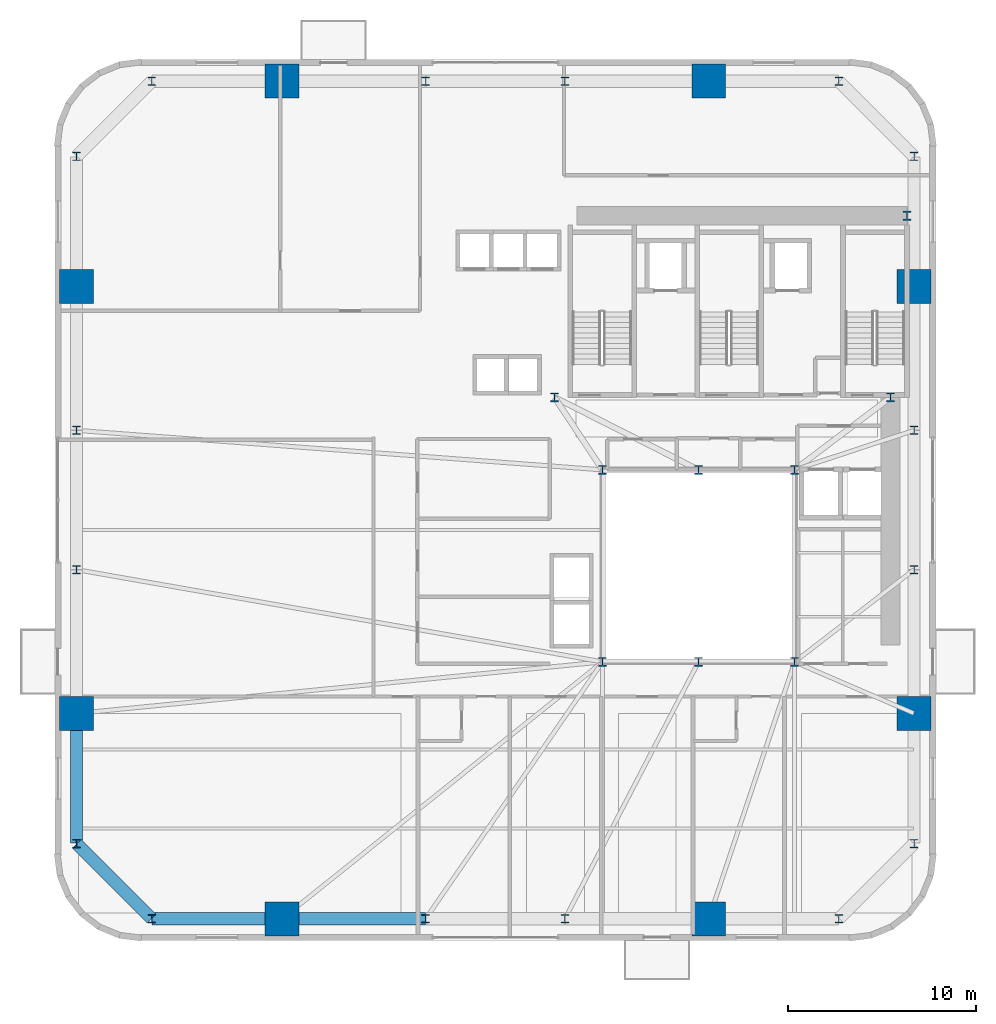
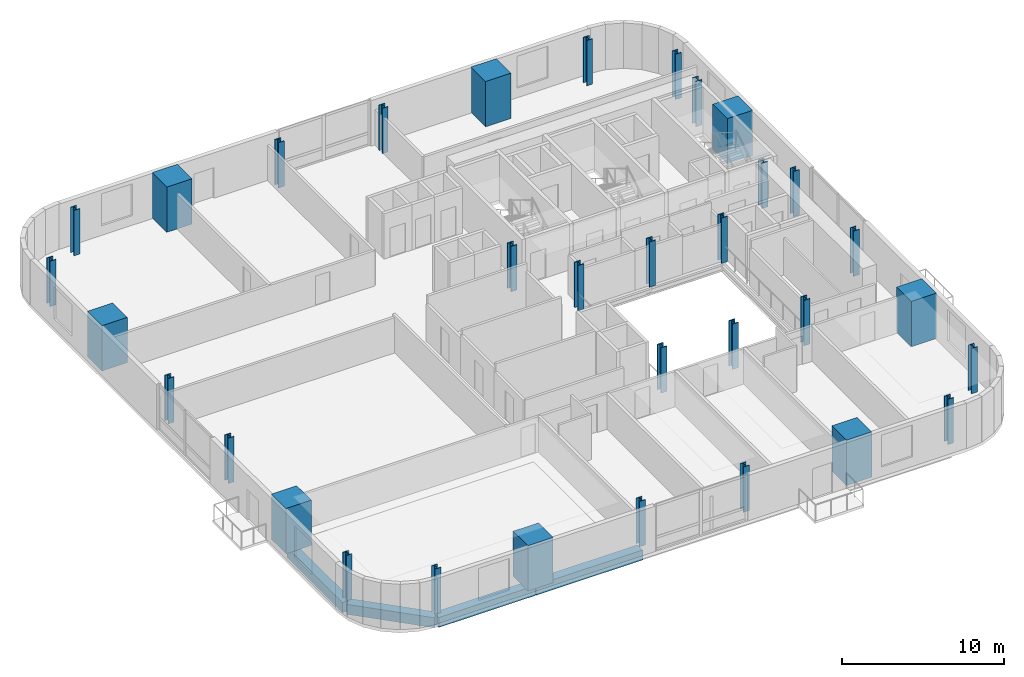
# One storey, part 1 of 13: 33 columns, 4 beams.
"""IFC4 building model written with IfcOpenShell, lengths in metres."""

from ifc_helpers import new_model, si_unit, direction, frame, origin, origin_2d, place, context, subcontext, project, spatial, rectangle, i_section, extrude, source, transform, mapped, material, material_profile, profile_set, type_object, element, save


model = new_model("IFC4")

# Units and contexts
model_context = context("Model", 3, precision=1e-05, world=origin(), true_north=direction((0.0, 1.0)))
body_context = subcontext(model_context, "Body", "Model", "MODEL_VIEW")
ifc_project = project(units=[si_unit("LENGTHUNIT", "METRE"), si_unit("AREAUNIT", "SQUARE_METRE"), si_unit("VOLUMEUNIT", "CUBIC_METRE"), si_unit("PLANEANGLEUNIT", "RADIAN"), si_unit("MASSUNIT", "GRAM", prefix="KILO")], contexts=[model_context])

# Site, building, storey
site_placement = place(None, origin())
site = spatial("IfcSite", under=ifc_project, at=site_placement, CompositionType="ELEMENT")
building_placement = place(site_placement, origin())
building = spatial("IfcBuilding", under=site, at=building_placement, Name="Vardaveli Station Tower", CompositionType="ELEMENT")
storey_placement = place(building_placement, frame((0.0, 0.0, 45.85009765625)))
storey = spatial("IfcBuildingStorey", under=building, at=storey_placement, Name="L11", CompositionType="ELEMENT", Elevation=45.85009765625)

# Columns
ifc_material_1 = material(Name="Structural steel S460M", Category="steel")
ifc_material_profile_1 = material_profile(ifc_material_1, i_section(OverallWidth=0.427978515625, OverallDepth=0.48095703125, WebThickness=0.03955078125, FlangeThickness=0.0634765625, FilletRadius=0.014892578125, at=origin_2d()), Name="HD 400x677")
ifc_profile_set_1 = profile_set([ifc_material_profile_1], Name="Structural steel S460M")
column_type_1 = type_object("IfcColumnType", Name="COL-HD677", PredefinedType="COLUMN", material=ifc_profile_set_1)
shared_shape_1 = source(origin(), body_context, "Body", "SweptSolid", [
    extrude(i_section(OverallWidth=0.427978515625, OverallDepth=0.48095703125, WebThickness=0.03955078125, FlangeThickness=0.0634765625, FilletRadius=0.014892578125, at=origin_2d()), origin(), (0.0, 0.0, 1.0), 3.409912109375),
])
for number, where, z_axis, x_axis, name in (
    (1, (31.199951171875, 16.60009765625, 0.0), (0.0, 0.0, 1.0), (1.0, 0.0, 0.0), "COL-L11-AC1"),
    (2, (36.300048828125, 16.60009765625, 0.0), (0.0, 0.0, 1.0), (1.0, 0.0, 0.0), "COL-L11-AC2"),
    (3, (41.39990234375, 16.60009765625, 0.0), (0.0, 0.0, 1.0), (1.0, 0.0, 0.0), "COL-L11-AC3"),
    (4, (41.39990234375, 26.800048828125, 0.0), (0.0, 0.0, 1.0), (1.0, 0.0, 0.0), "COL-L11-AC4"),
    (5, (36.300048828125, 26.800048828125, 0.0), (0.0, 0.0, 1.0), (1.0, 0.0, 0.0), "COL-L11-AC5"),
    (6, (31.199951171875, 26.800048828125, 0.0), (0.0, 0.0, 1.0), (1.0, 0.0, 0.0), "COL-L11-AC6"),
    (7, (28.64990234375, 30.64990234375, 0.0), (0.0, 0.0, 1.0), (1.0, 0.0, 0.0), "COL-L11-CC1"),
    (8, (46.5, 30.64990234375, 0.0), (0.0, 0.0, 1.0), (1.0, 0.0, 0.0), "COL-L11-CC2"),
    (9, (47.3701171875, 40.300048828125, 0.0), (0.0, 0.0, 1.0), (1.0, 0.0, 0.0), "COL-L11-CC3"),
):
    element("IfcColumn", number, at=place(storey_placement, frame(where, z_axis=z_axis, x_axis=x_axis)), inside=storey, type_object=column_type_1, Name=name, PredefinedType="COLUMN", context=body_context, shape_type="MappedRepresentation", body=[
        mapped(shared_shape_1, transform((0.0, 0.0, 0.0), scale=1.0)),
    ])
ifc_material_2 = material(Name="Concrete C70/85", Category="concrete")
ifc_material_profile_2 = material_profile(ifc_material_2, rectangle(XDim=1.800048828125, YDim=1.800048828125, at=origin_2d()), Name="MC 1800x1800")
ifc_profile_set_2 = profile_set([ifc_material_profile_2], Name="Concrete C70/85")
column_type_2 = type_object("IfcColumnType", Name="COL-MC-1800", PredefinedType="COLUMN", material=ifc_profile_set_2)
shared_shape_2 = source(origin(), body_context, "Body", "SweptSolid", [
    extrude(rectangle(XDim=1.800048828125, YDim=1.800048828125, at=origin_2d()), origin(), (0.0, 0.0, 1.0), 3.409912109375),
])
for number, where, z_axis, x_axis, name in (
    (10, (14.159912109375, 2.949951171875, 0.0), (0.0, 0.0, 1.0), (1.0, 0.0, 0.0), "COL-L11-MC1"),
    (11, (36.840087890625, 2.949951171875, 0.0), (0.0, 0.0, 1.0), (1.0, 0.0, 0.0), "COL-L11-MC2"),
    (12, (47.75, 13.860107421875, 0.0), (0.0, 0.0, 1.0), (1.0, 0.0, 0.0), "COL-L11-MC3"),
    (13, (47.75, 36.5400390625, 0.0), (0.0, 0.0, 1.0), (1.0, 0.0, 0.0), "COL-L11-MC4"),
    (14, (36.840087890625, 47.449951171875, 0.0), (0.0, 0.0, 1.0), (1.0, 0.0, 0.0), "COL-L11-MC5"),
    (15, (14.159912109375, 47.449951171875, 0.0), (0.0, 0.0, 1.0), (1.0, 0.0, 0.0), "COL-L11-MC6"),
    (16, (3.25, 36.5400390625, 0.0), (0.0, 0.0, 1.0), (1.0, 0.0, 0.0), "COL-L11-MC7"),
    (17, (3.25, 13.860107421875, 0.0), (0.0, 0.0, 1.0), (1.0, 0.0, 0.0), "COL-L11-MC8"),
):
    element("IfcColumn", number, at=place(storey_placement, frame(where, z_axis=z_axis, x_axis=x_axis)), inside=storey, type_object=column_type_2, Name=name, PredefinedType="COLUMN", context=body_context, shape_type="MappedRepresentation", body=[
        mapped(shared_shape_2, transform((0.0, 0.0, 0.0), scale=1.0)),
    ])
ifc_material_profile_3 = material_profile(ifc_material_1, i_section(OverallWidth=0.4189453125, OverallDepth=0.448974609375, WebThickness=0.030517578125, FlangeThickness=0.04833984375, FilletRadius=0.014892578125, at=origin_2d()), Name="HD 400x509")
ifc_profile_set_3 = profile_set([ifc_material_profile_3], Name="Structural steel S460M")
column_type_3 = type_object("IfcColumnType", Name="COL-HD509", PredefinedType="COLUMN", material=ifc_profile_set_3)
shared_shape_3 = source(origin(), body_context, "Body", "SweptSolid", [
    extrude(i_section(OverallWidth=0.4189453125, OverallDepth=0.448974609375, WebThickness=0.030517578125, FlangeThickness=0.04833984375, FilletRadius=0.014892578125, at=origin_2d()), origin(), (0.0, 0.0, 1.0), 3.409912109375),
])
for number, where, z_axis, x_axis, name in (
    (18, (7.25, 2.949951171875, 0.0), (0.0, 0.0, 1.0), (1.0, 0.0, 0.0), "COL-L11-PC01"),
    (19, (21.800048828125, 2.949951171875, 0.0), (0.0, 0.0, 1.0), (1.0, 0.0, 0.0), "COL-L11-PC02"),
    (20, (29.199951171875, 2.949951171875, 0.0), (0.0, 0.0, 1.0), (1.0, 0.0, 0.0), "COL-L11-PC03"),
    (21, (43.75, 2.949951171875, 0.0), (0.0, 0.0, 1.0), (1.0, 0.0, 0.0), "COL-L11-PC04"),
    (22, (47.75, 6.949951171875, 0.0), (0.0, 0.0, 1.0), (1.0, 0.0, 0.0), "COL-L11-PC05"),
    (23, (47.75, 21.5, 0.0), (0.0, 0.0, 1.0), (1.0, 0.0, 0.0), "COL-L11-PC06"),
    (24, (47.75, 28.89990234375, 0.0), (0.0, 0.0, 1.0), (1.0, 0.0, 0.0), "COL-L11-PC07"),
    (25, (47.75, 43.449951171875, 0.0), (0.0, 0.0, 1.0), (1.0, 0.0, 0.0), "COL-L11-PC08"),
    (26, (43.75, 47.449951171875, 0.0), (0.0, 0.0, 1.0), (1.0, 0.0, 0.0), "COL-L11-PC09"),
    (27, (29.199951171875, 47.449951171875, 0.0), (0.0, 0.0, 1.0), (1.0, 0.0, 0.0), "COL-L11-PC10"),
    (28, (21.800048828125, 47.449951171875, 0.0), (0.0, 0.0, 1.0), (1.0, 0.0, 0.0), "COL-L11-PC11"),
    (29, (7.25, 47.449951171875, 0.0), (0.0, 0.0, 1.0), (1.0, 0.0, 0.0), "COL-L11-PC12"),
    (30, (3.25, 43.449951171875, 0.0), (0.0, 0.0, 1.0), (1.0, 0.0, 0.0), "COL-L11-PC13"),
    (31, (3.25, 28.89990234375, 0.0), (0.0, 0.0, 1.0), (1.0, 0.0, 0.0), "COL-L11-PC14"),
    (32, (3.25, 21.5, 0.0), (0.0, 0.0, 1.0), (1.0, 0.0, 0.0), "COL-L11-PC15"),
    (33, (3.25, 6.949951171875, 0.0), (0.0, 0.0, 1.0), (1.0, 0.0, 0.0), "COL-L11-PC16"),
):
    element("IfcColumn", number, at=place(storey_placement, frame(where, z_axis=z_axis, x_axis=x_axis)), inside=storey, type_object=column_type_3, Name=name, PredefinedType="COLUMN", context=body_context, shape_type="MappedRepresentation", body=[
        mapped(shared_shape_3, transform((0.0, 0.0, 0.0), scale=1.0)),
    ])

# Beams
ifc_material_3 = material(Name="Precast concrete C45/55", Category="concrete")
ifc_material_profile_4 = material_profile(ifc_material_3, rectangle(XDim=0.64990234375, YDim=0.75, at=origin_2d()), Name="LPB 650x750")
ifc_profile_set_4 = profile_set([ifc_material_profile_4], Name="Precast concrete C45/55")
beam_type = type_object("IfcBeamType", Name="BM-LPB-750", PredefinedType="BEAM", material=ifc_profile_set_4)
shared_shape_4 = source(origin(), body_context, "Body", "SweptSolid", [
    extrude(rectangle(XDim=0.64990234375, YDim=0.75, at=origin_2d()), origin(), (0.0, 0.0, 1.0), 7.60009765625),
])
beam_1_placement = place(storey_placement, frame((14.179931640625, 2.949951171875, -0.614990234375), z_axis=(1.0, 0.0, 0.0), x_axis=(0.0, 1.0, 0.0)))
element("IfcBeam", 34, at=beam_1_placement, inside=storey, type_object=beam_type, Name="RBM-L11-01", PredefinedType="BEAM", context=body_context, shape_type="MappedRepresentation", body=[
    mapped(shared_shape_4, transform((0.0, 0.0, 0.0), scale=1.0)),
])
shared_shape_5 = source(origin(), body_context, "Body", "SweptSolid", [
    extrude(rectangle(XDim=0.64990234375, YDim=0.75, at=origin_2d()), origin(), (0.0, 0.0, 1.0), 6.869873046875),
])
beam_2_placement = place(storey_placement, frame((7.27001953125, 2.949951171875, -0.614990234375), z_axis=(1.0, 0.0, 0.0), x_axis=(0.0, 1.0, 0.0)))
element("IfcBeam", 35, at=beam_2_placement, inside=storey, type_object=beam_type, Name="RBM-L11-24", PredefinedType="BEAM", context=body_context, shape_type="MappedRepresentation", body=[
    mapped(shared_shape_5, transform((0.0, 0.0, 0.0), scale=1.0)),
])
shared_shape_6 = source(origin(), body_context, "Body", "SweptSolid", [
    extrude(rectangle(XDim=0.64990234375, YDim=0.75, at=origin_2d()), origin(), (0.0, 0.0, 1.0), 5.61669921875),
])
beam_3_placement = place(storey_placement, frame((3.26416015625, 6.935791015625, -0.614990234375), z_axis=(0.707106781187, -0.707106781187, 0.0), x_axis=(0.707106781187, 0.707106781187, 0.0)))
element("IfcBeam", 36, at=beam_3_placement, inside=storey, type_object=beam_type, Name="RBM-L11-23", PredefinedType="BEAM", context=body_context, shape_type="MappedRepresentation", body=[
    mapped(shared_shape_6, transform((0.0, 0.0, 0.0), scale=1.0)),
])
shared_shape_7 = source(origin(), body_context, "Body", "SweptSolid", [
    extrude(rectangle(XDim=0.64990234375, YDim=0.75, at=origin_2d()), origin(), (0.0, 0.0, 1.0), 6.8701171875),
])
beam_4_placement = place(storey_placement, frame((3.25, 13.840087890625, -0.614990234375), z_axis=(0.0, -1.0, 0.0), x_axis=(1.0, 0.0, 0.0)))
element("IfcBeam", 37, at=beam_4_placement, inside=storey, type_object=beam_type, Name="RBM-L11-22", PredefinedType="BEAM", context=body_context, shape_type="MappedRepresentation", body=[
    mapped(shared_shape_7, transform((0.0, 0.0, 0.0), scale=1.0)),
])

save(model, "model.ifc")
